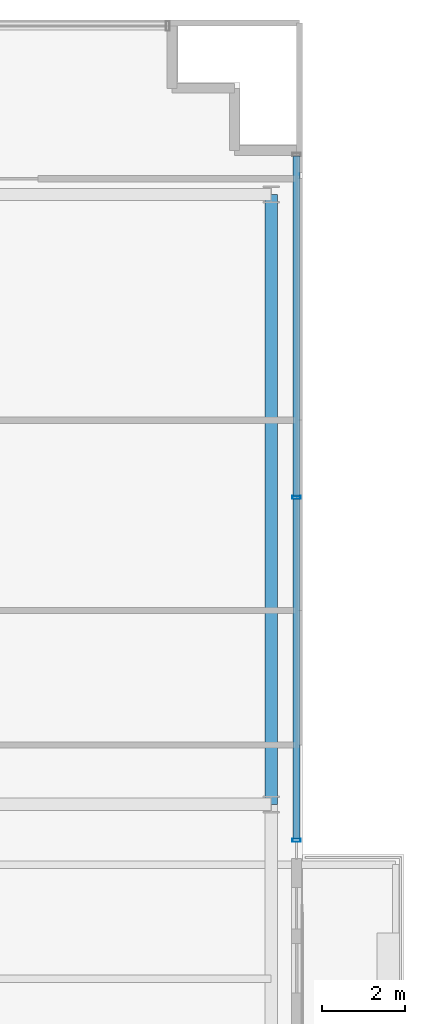
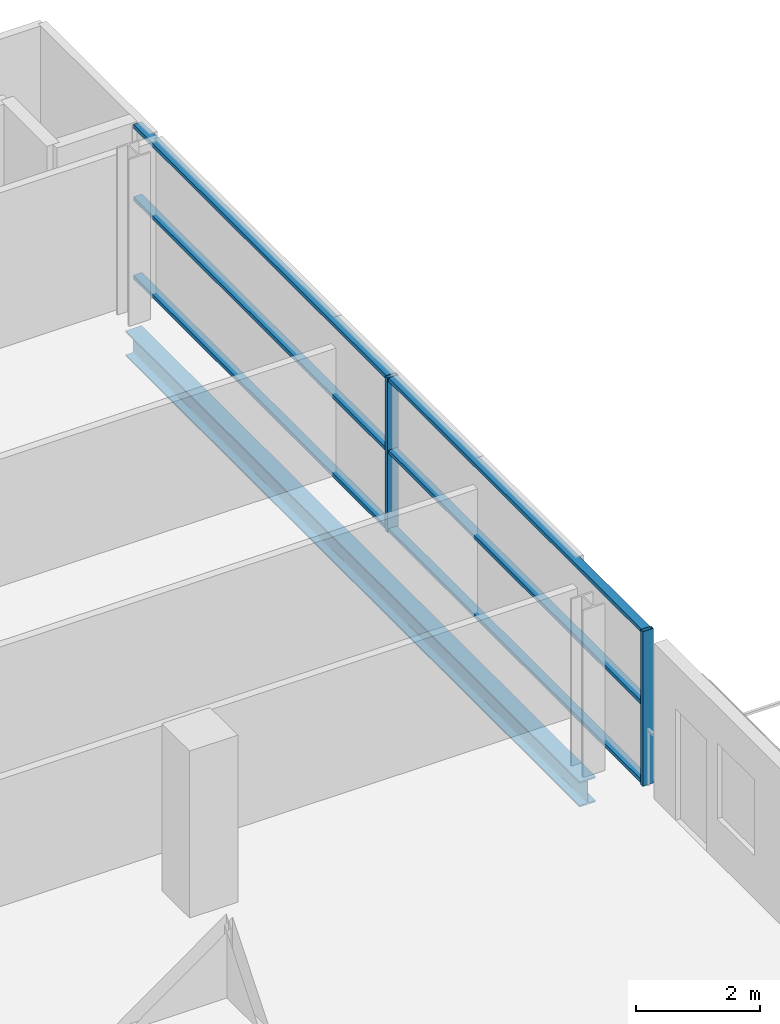
# One storey, part 11 of 24: 8 members, 1 beam, 1 element without a shape of its own.
"""IFC4 building model written with IfcOpenShell, lengths in metres."""

from ifc_helpers import new_model, si_unit, direction, frame, origin, origin_2d, place, context, subcontext, project, spatial, hollow_rectangle, i_section, extrude, source, transform, mapped, material, layer, layer_set, material_profile, profile_set, type_object, element, aggregate, save


model = new_model("IFC4")

# Units and contexts
model_context = context("Model", 3, precision=1e-05, world=origin(), true_north=direction((0.0, 1.0)))
body_context = subcontext(model_context, "Body", "Model", "MODEL_VIEW")
ifc_project = project(units=[si_unit("LENGTHUNIT", "METRE"), si_unit("AREAUNIT", "SQUARE_METRE"), si_unit("VOLUMEUNIT", "CUBIC_METRE"), si_unit("PLANEANGLEUNIT", "RADIAN"), si_unit("MASSUNIT", "GRAM", prefix="KILO")], contexts=[model_context])

# Site, building, storey
site_placement = place(None, origin())
site = spatial("IfcSite", under=ifc_project, at=site_placement, CompositionType="ELEMENT")
building_placement = place(site_placement, origin())
building = spatial("IfcBuilding", under=site, at=building_placement, Name="Zarnakvel Exchange Tower", CompositionType="ELEMENT")
storey_placement = place(building_placement, frame((0.0, 0.0, 133.0)))
storey = spatial("IfcBuildingStorey", under=building, at=storey_placement, Name="L37", CompositionType="ELEMENT", Elevation=133.0)

# Beam
ifc_material_1 = material(Name="Steel S355", Category="steel")
ifc_material_profile_1 = material_profile(ifc_material_1, i_section(OverallWidth=0.300048828125, OverallDepth=0.5, WebThickness=0.014404296875, FlangeThickness=0.028076171875, FilletRadius=0.027099609375, at=origin_2d()))
ifc_profile_set_1 = profile_set([ifc_material_profile_1], Name="Steel S355")
beam_type = type_object("IfcBeamType", Name="SP-02", PredefinedType="SPANDREL", material=ifc_profile_set_1)
beam_placement = place(storey_placement, frame((28.85009765625, -1.199951171875, -0.47509765625), z_axis=(0.0, 1.0, 0.0), x_axis=(-1.0, 0.0, 0.0)))
element("IfcBeam", 1, at=beam_placement, inside=storey, type_object=beam_type, Name="L37 Tower N-S Frame Beam", PredefinedType="SPANDREL", context=body_context, shape_type="SweptSolid", body=[
    extrude(i_section(OverallWidth=0.300048828125, OverallDepth=0.5, WebThickness=0.014404296875, FlangeThickness=0.028076171875, FilletRadius=0.027099609375, at=origin_2d()), origin(), (0.0, 0.0, 1.0), 14.699951171875),
])

# Curtain wall, members
ifc_material_2 = material(Name="Architectural Bronze Anodised Aluminium", Category="aluminium")
ifc_layer = layer(ifc_material_2, 0.199951171875)
ifc_layer_set = layer_set([ifc_layer], Name="Architectural Bronze Anodised Aluminium")
curtain_wall_type = type_object("IfcCurtainWallType", Name="CW-04", PredefinedType="NOTDEFINED", material=ifc_layer_set)
curtain_wall_placement = place(storey_placement, origin())
curtain_wall = element("IfcCurtainWall", 2, at=curtain_wall_placement, inside=storey, type_object=curtain_wall_type, Name="L37 Curtain Wall CW-L37-EN (CW-04)", PredefinedType="NOTDEFINED")
ifc_material_profile_2 = material_profile(ifc_material_2, hollow_rectangle(XDim=0.199951171875, YDim=0.074951171875, WallThickness=0.0048828125, at=origin_2d()))
ifc_profile_set_2 = profile_set([ifc_material_profile_2], Name="Architectural Bronze Anodised Aluminium")
member_type_1 = type_object("IfcMemberType", Name="CWM-04", PredefinedType="MULLION", material=ifc_profile_set_2)
shared_shape_1 = source(origin(), body_context, "Body", "SweptSolid", [
    extrude(hollow_rectangle(XDim=0.199951171875, YDim=0.074951171875, WallThickness=0.0048828125, at=origin_2d()), origin(), (0.0, 0.0, 1.0), 3.054931640625),
])
member_1_placement = place(storey_placement, frame((29.4599609375, -2.0625, 0.0), z_axis=(0.0, 0.0, 1.0), x_axis=(-1.0, 0.0, 0.0)))
member_1 = element("IfcMember", 3, at=member_1_placement, type_object=member_type_1, Name="CW-04 mullion 1", PredefinedType="MULLION", context=body_context, shape_type="MappedRepresentation", body=[
    mapped(shared_shape_1, transform((0.0, 0.0, 0.0), x_axis=(1.0, 0.0, 0.0), y_axis=(0.0, 1.0, 0.0), z_axis=(0.0, 0.0, 1.0), scale=1.0)),
])
member_2_placement = place(storey_placement, frame((29.4599609375, 6.199951171875, 0.0), z_axis=(0.0, 0.0, 1.0), x_axis=(-1.0, 0.0, 0.0)))
member_2 = element("IfcMember", 4, at=member_2_placement, type_object=member_type_1, Name="CW-04 mullion 2", PredefinedType="MULLION", context=body_context, shape_type="MappedRepresentation", body=[
    mapped(shared_shape_1, transform((0.0, 0.0, 0.0), x_axis=(1.0, 0.0, 0.0), y_axis=(0.0, 1.0, 0.0), z_axis=(0.0, 0.0, 1.0), scale=1.0)),
])
ifc_material_profile_3 = material_profile(ifc_material_2, hollow_rectangle(XDim=0.159912109375, YDim=0.074951171875, WallThickness=0.00390625, at=origin_2d()))
ifc_profile_set_3 = profile_set([ifc_material_profile_3], Name="Architectural Bronze Anodised Aluminium")
member_type_2 = type_object("IfcMemberType", Name="CWT-04", PredefinedType="USERDEFINED", material=ifc_profile_set_3)
shared_shape_2 = source(origin(), body_context, "Body", "SweptSolid", [
    extrude(hollow_rectangle(XDim=0.159912109375, YDim=0.074951171875, WallThickness=0.00390625, at=origin_2d()), origin(), (0.0, 0.0, 1.0), 8.1875),
])
member_3_placement = place(storey_placement, frame((29.4599609375, -2.02490234375, 0.03759765625), z_axis=(0.0, 1.0, 0.0), x_axis=(-1.0, 0.0, 0.0)))
member_3 = element("IfcMember", 5, at=member_3_placement, type_object=member_type_2, Name="CW-04 transom 1.1", ObjectType="TRANSOM", PredefinedType="USERDEFINED", context=body_context, shape_type="MappedRepresentation", body=[
    mapped(shared_shape_2, transform((0.0, 0.0, 0.0), x_axis=(1.0, 0.0, 0.0), y_axis=(0.0, 1.0, 0.0), z_axis=(0.0, 0.0, 1.0), scale=1.0)),
])
member_4_placement = place(storey_placement, frame((29.4599609375, -2.02490234375, 1.588623046875), z_axis=(0.0, 1.0, 0.0), x_axis=(-1.0, 0.0, 0.0)))
member_4 = element("IfcMember", 6, at=member_4_placement, type_object=member_type_2, Name="CW-04 transom 1.2", ObjectType="TRANSOM", PredefinedType="USERDEFINED", context=body_context, shape_type="MappedRepresentation", body=[
    mapped(shared_shape_2, transform((0.0, 0.0, 0.0), x_axis=(1.0, 0.0, 0.0), y_axis=(0.0, 1.0, 0.0), z_axis=(0.0, 0.0, 1.0), scale=1.0)),
])
member_5_placement = place(storey_placement, frame((29.4599609375, -2.02490234375, 3.017578125), z_axis=(0.0, 1.0, 0.0), x_axis=(-1.0, 0.0, 0.0)))
member_5 = element("IfcMember", 7, at=member_5_placement, type_object=member_type_2, Name="CW-04 transom 1.3", ObjectType="TRANSOM", PredefinedType="USERDEFINED", context=body_context, shape_type="MappedRepresentation", body=[
    mapped(shared_shape_2, transform((0.0, 0.0, 0.0), x_axis=(1.0, 0.0, 0.0), y_axis=(0.0, 1.0, 0.0), z_axis=(0.0, 0.0, 1.0), scale=1.0)),
])
member_6_placement = place(storey_placement, frame((29.4599609375, 6.237548828125, 0.03759765625), z_axis=(0.0, 1.0, 0.0), x_axis=(-1.0, 0.0, 0.0)))
member_6 = element("IfcMember", 8, at=member_6_placement, type_object=member_type_2, Name="CW-04 transom 2.1", ObjectType="TRANSOM", PredefinedType="USERDEFINED", context=body_context, shape_type="MappedRepresentation", body=[
    mapped(shared_shape_2, transform((0.0, 0.0, 0.0), x_axis=(1.0, 0.0, 0.0), y_axis=(0.0, 1.0, 0.0), z_axis=(0.0, 0.0, 1.0), scale=1.0)),
])
member_7_placement = place(storey_placement, frame((29.4599609375, 6.237548828125, 1.588623046875), z_axis=(0.0, 1.0, 0.0), x_axis=(-1.0, 0.0, 0.0)))
member_7 = element("IfcMember", 9, at=member_7_placement, type_object=member_type_2, Name="CW-04 transom 2.2", ObjectType="TRANSOM", PredefinedType="USERDEFINED", context=body_context, shape_type="MappedRepresentation", body=[
    mapped(shared_shape_2, transform((0.0, 0.0, 0.0), x_axis=(1.0, 0.0, 0.0), y_axis=(0.0, 1.0, 0.0), z_axis=(0.0, 0.0, 1.0), scale=1.0)),
])
member_8_placement = place(storey_placement, frame((29.4599609375, 6.237548828125, 3.017578125), z_axis=(0.0, 1.0, 0.0), x_axis=(-1.0, 0.0, 0.0)))
member_8 = element("IfcMember", 10, at=member_8_placement, type_object=member_type_2, Name="CW-04 transom 2.3", ObjectType="TRANSOM", PredefinedType="USERDEFINED", context=body_context, shape_type="MappedRepresentation", body=[
    mapped(shared_shape_2, transform((0.0, 0.0, 0.0), x_axis=(1.0, 0.0, 0.0), y_axis=(0.0, 1.0, 0.0), z_axis=(0.0, 0.0, 1.0), scale=1.0)),
])
aggregate(curtain_wall, [member_1, member_2, member_3, member_4, member_5, member_6, member_7, member_8])

save(model, "model.ifc")
